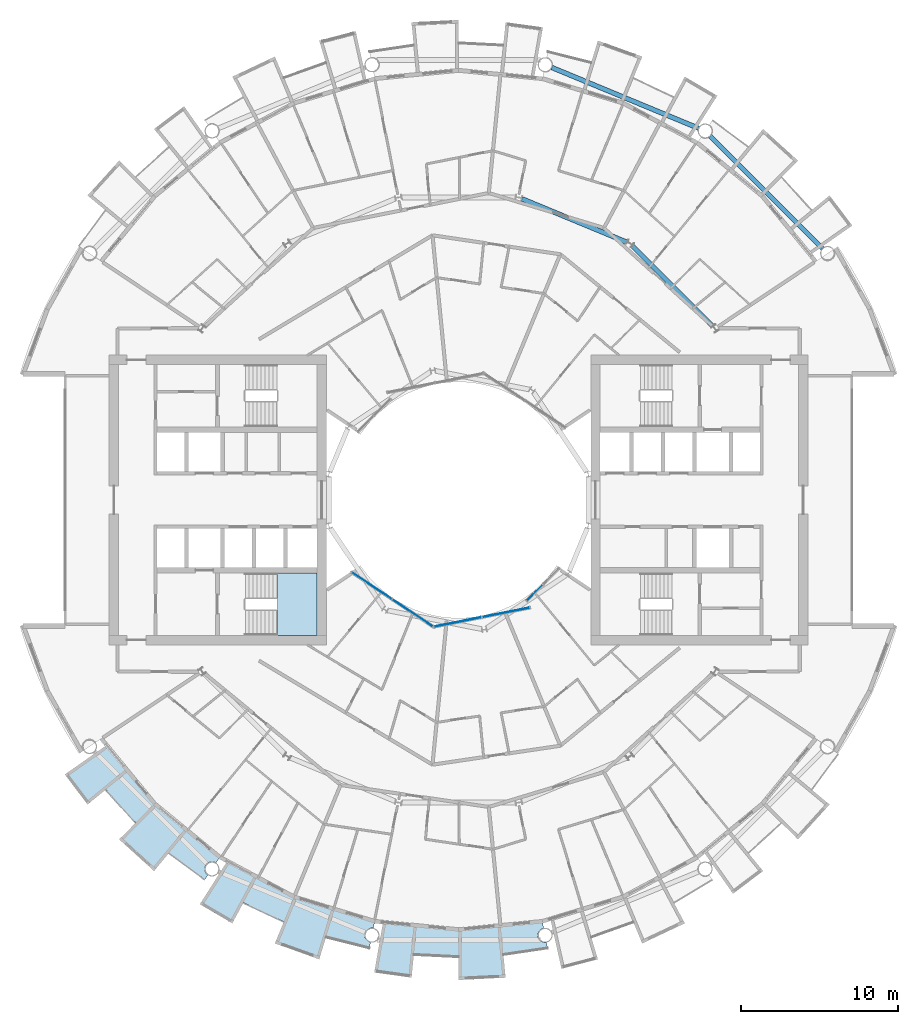
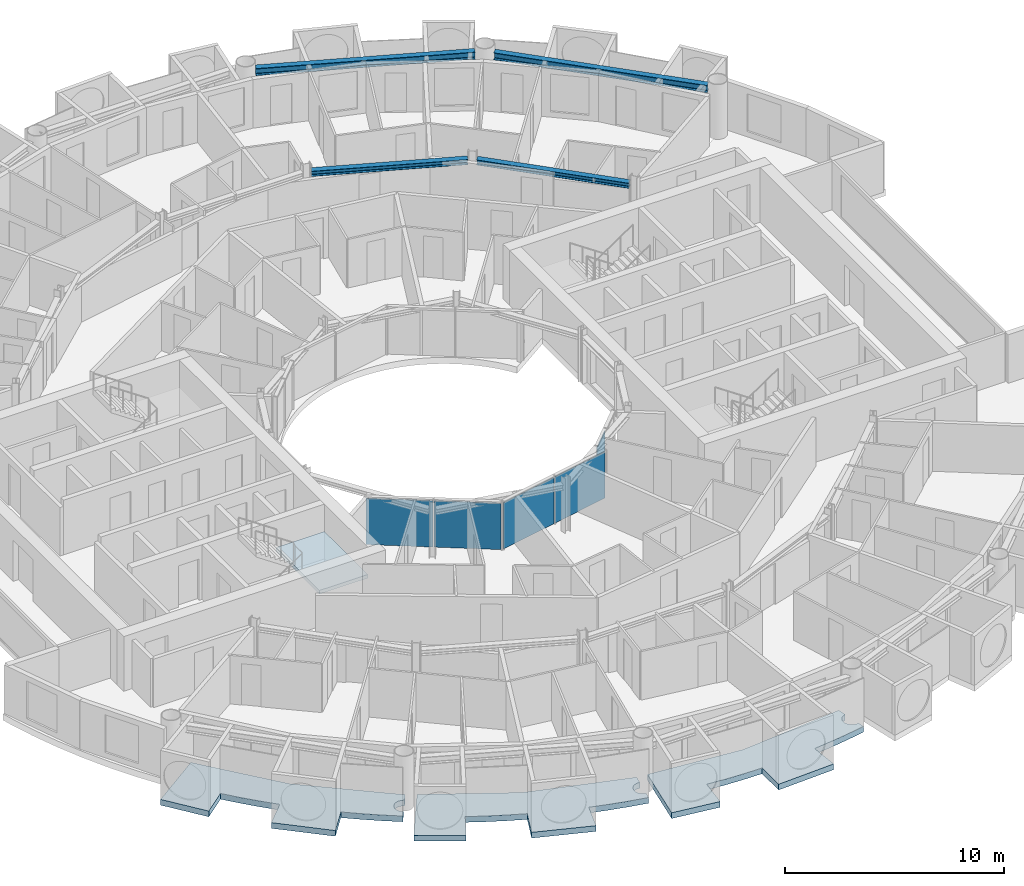
# One storey, part 10 of 28: 5 plates, 4 beams, 4 slabs, 4 elements without a shape of their own.
"""IFC4 building model written with IfcOpenShell, lengths in metres."""

from ifc_helpers import new_model, si_unit, direction, frame, origin, origin_2d, place, context, subcontext, project, spatial, polyline, rectangle, i_section, outline, extrude, material, layer, layer_set, material_profile, profile_set, type_object, element, aggregate, save


model = new_model("IFC4")

# Units and contexts
model_context = context("Model", 3, precision=1e-05, world=origin(), true_north=direction((0.0, 1.0)))
body_context = subcontext(model_context, "Body", "Model", "MODEL_VIEW")
ifc_project = project(units=[si_unit("LENGTHUNIT", "METRE"), si_unit("AREAUNIT", "SQUARE_METRE"), si_unit("VOLUMEUNIT", "CUBIC_METRE"), si_unit("PLANEANGLEUNIT", "RADIAN"), si_unit("MASSUNIT", "GRAM", prefix="KILO")], contexts=[model_context])

# Site, building, storey
site_placement = place(None, origin())
site = spatial("IfcSite", under=ifc_project, at=site_placement, CompositionType="ELEMENT")
building_placement = place(site_placement, origin())
building = spatial("IfcBuilding", under=site, at=building_placement, Name="Maasbend Ring Residences", CompositionType="ELEMENT")
storey_placement = place(building_placement, frame((0.0, 0.0, 129.949951171875)))
storey = spatial("IfcBuildingStorey", under=building, at=storey_placement, Name="L37", CompositionType="ELEMENT", Elevation=129.949951171875)

# Beams
ifc_material_1 = material(Name="Steel S355J2", Category="steel")
ifc_material_profile_1 = material_profile(ifc_material_1, i_section(OverallWidth=0.300048828125, OverallDepth=0.2900390625, WebThickness=0.008544921875, FlangeThickness=0.013916015625, FilletRadius=0.027099609375, at=origin_2d()), Name="HEA 300")
ifc_profile_set_1 = profile_set([ifc_material_profile_1], Name="Steel S355J2")
beam_type_1 = type_object("IfcBeamType", Name="Corridor ring beam HEA 300", PredefinedType="BEAM", material=ifc_profile_set_1)
for number, where, z_axis, x_axis, name in (
    (1, (16.14111328125, 11.044921875, 2.554931640625), (-0.707106781187, 0.707106781187, 0.0), (-0.707106781187, -0.707106781187, 0.0), "Corridor ring beam"),
    (2, (10.685791015625, 16.381103515625, 2.554931640625), (-0.923877693919, 0.382687871089, 0.0), (-0.382687871089, -0.923877693919, 0.0), "Corridor ring beam"),
):
    element("IfcBeam", number, at=place(storey_placement, frame(where, z_axis=z_axis, x_axis=x_axis)), inside=storey, type_object=beam_type_1, Name=name, PredefinedType="BEAM", context=body_context, shape_type="SweptSolid", body=[
        extrude(i_section(OverallWidth=0.300048828125, OverallDepth=0.2900390625, WebThickness=0.008544921875, FlangeThickness=0.013916015625, FilletRadius=0.027099609375, at=origin_2d()), origin(), (0.0, 0.0, 1.0), 7.20703125),
    ])
ifc_material_2 = material(Name="Steel S355J2", Category="steel")
ifc_material_profile_2 = material_profile(ifc_material_2, i_section(OverallWidth=0.300048828125, OverallDepth=0.39990234375, WebThickness=0.013427734375, FlangeThickness=0.02392578125, FilletRadius=0.027099609375, at=origin_2d()), Name="HEB 400")
ifc_profile_set_2 = profile_set([ifc_material_profile_2], Name="Steel S355J2")
beam_type_2 = type_object("IfcBeamType", Name="Spandrel ring beam HEB 400", PredefinedType="SPANDREL", material=ifc_profile_set_2)
for number, where, z_axis, x_axis, name in (
    (3, (23.124267578125, 15.990234375, 2.5), (-0.707106781187, 0.707106781187, 0.0), (-0.707106781187, -0.707106781187, 0.0), "Spandrel ring beam"),
    (4, (15.244873046875, 23.622314453125, 2.5), (-0.92388529709, 0.382669515144, 0.0), (-0.382669515144, -0.92388529709, 0.0), "Spandrel ring beam"),
):
    element("IfcBeam", number, at=place(storey_placement, frame(where, z_axis=z_axis, x_axis=x_axis)), inside=storey, type_object=beam_type_2, Name=name, PredefinedType="SPANDREL", context=body_context, shape_type="SweptSolid", body=[
        extrude(i_section(OverallWidth=0.300048828125, OverallDepth=0.39990234375, WebThickness=0.013427734375, FlangeThickness=0.02392578125, FilletRadius=0.027099609375, at=origin_2d()), origin(), (0.0, 0.0, 1.0), 10.089111328125),
    ])

# Stair, slab
ifc_material_3 = material(Name="Concrete C40/50", Category="concrete")
stair_type = type_object("IfcStairType", Name="CORE STAIR 18 RISERS", PredefinedType="HALF_TURN_STAIR", material=ifc_material_3)
stair_placement = place(storey_placement, origin())
stair = element("IfcStair", 5, at=stair_placement, inside=storey, type_object=stair_type, Name="L37 Exit stair ST-W1", PredefinedType="HALF_TURN_STAIR")
ifc_material_4 = material(Name="Concrete C40/50", Category="concrete")
ifc_layer_1 = layer(ifc_material_4, 0.199951171875)
ifc_layer_set_1 = layer_set([ifc_layer_1], Name="Concrete C40/50")
slab_type_1 = type_object("IfcSlabType", Name="CORE STAIR LANDING 200", PredefinedType="LANDING", material=ifc_layer_set_1)
slab_1_placement = place(storey_placement, frame((0.0, 0.0, 1.324951171875)))
slab_1 = element("IfcSlab", 6, at=slab_1_placement, type_object=slab_type_1, Name="ST-W1 landing 1", PredefinedType="LANDING", context=body_context, shape_type="SweptSolid", body=[
    extrude(outline(polyline([(-11.550048828125, -8.60009765625), (-9.0, -8.60009765625), (-9.0, -4.64990234375), (-11.550048828125, -4.64990234375), (-11.550048828125, -8.60009765625)])), origin(), (0.0, 0.0, 1.0), 0.2001953125),
])
aggregate(stair, [slab_1])

# Curtain wall, plates
ifc_material_5 = material(Name="Aluminium and clear glass", Category="aluminium")
ifc_layer_2 = layer(ifc_material_5, 0.179931640625)
ifc_layer_set_2 = layer_set([ifc_layer_2], Name="CW-W")
curtain_wall_type = type_object("IfcCurtainWallType", Name="CW-W", PredefinedType="NOTDEFINED", material=ifc_layer_set_2)
curtain_wall_1_placement = place(storey_placement, origin())
curtain_wall_1 = element("IfcCurtainWall", 7, at=curtain_wall_1_placement, inside=storey, type_object=curtain_wall_type, Name="Well curtain wall S1", PredefinedType="NOTDEFINED")
ifc_material_6 = material(Name="Glass clear laminated", Category="glass")
ifc_layer_3 = layer(ifc_material_6, 0.031982421875)
ifc_layer_set_3 = layer_set([ifc_layer_3], Name="CWP-W")
plate_type = type_object("IfcPlateType", Name="CWP-W", PredefinedType="CURTAIN_PANEL", material=ifc_layer_set_3)
plate_1_placement = place(storey_placement, frame((-5.51123046875, -5.44580078125, 0.0), z_axis=(0.0, 0.0, 1.0), x_axis=(0.831469612303, -0.55557023302, 0.0)))
plate_1 = element("IfcPlate", 8, at=plate_1_placement, type_object=plate_type, Name="Glass panel well face", PredefinedType="CURTAIN_PANEL", context=body_context, shape_type="SweptSolid", body=[
    extrude(rectangle(XDim=3.053955078125, YDim=0.031982421875, at=origin_2d()), origin(), (0.0, 0.0, 1.0), 2.580078125),
])
plate_2_placement = place(storey_placement, frame((-2.922119140625, -7.17578125, 0.0), z_axis=(0.0, 0.0, 1.0), x_axis=(0.831469612303, -0.55557023302, 0.0)))
plate_2 = element("IfcPlate", 9, at=plate_2_placement, type_object=plate_type, Name="Glass panel well face", PredefinedType="CURTAIN_PANEL", context=body_context, shape_type="SweptSolid", body=[
    extrude(rectangle(XDim=3.053955078125, YDim=0.031982421875, at=origin_2d()), origin(), (0.0, 0.0, 1.0), 2.580078125),
])
aggregate(curtain_wall_1, [plate_1, plate_2])

curtain_wall_2_placement = place(storey_placement, origin())
curtain_wall_2 = element("IfcCurtainWall", 10, at=curtain_wall_2_placement, inside=storey, type_object=curtain_wall_type, Name="Well curtain wall S2", PredefinedType="NOTDEFINED")
plate_3_placement = place(storey_placement, frame((-0.04638671875, -7.747802734375, 0.0), z_axis=(0.0, 0.0, 1.0), x_axis=(0.980785280403, 0.195090322016, 0.0)))
plate_3 = element("IfcPlate", 11, at=plate_3_placement, type_object=plate_type, Name="Glass panel well face", PredefinedType="CURTAIN_PANEL", context=body_context, shape_type="SweptSolid", body=[
    extrude(rectangle(XDim=3.053955078125, YDim=0.031982421875, at=origin_2d()), origin(), (0.0, 0.0, 1.0), 2.580078125),
])
plate_4_placement = place(storey_placement, frame((3.0078125, -7.140380859375, 0.0), z_axis=(0.0, 0.0, 1.0), x_axis=(0.980785280403, 0.195090322016, 0.0)))
plate_4 = element("IfcPlate", 12, at=plate_4_placement, type_object=plate_type, Name="Glass panel well face", PredefinedType="CURTAIN_PANEL", context=body_context, shape_type="SweptSolid", body=[
    extrude(rectangle(XDim=3.053955078125, YDim=0.031982421875, at=origin_2d()), origin(), (0.0, 0.0, 1.0), 2.580078125),
])
aggregate(curtain_wall_2, [plate_3, plate_4])

# Curtain wall, plate
curtain_wall_3_placement = place(storey_placement, origin())
curtain_wall_3 = element("IfcCurtainWall", 13, at=curtain_wall_3_placement, inside=storey, type_object=curtain_wall_type, Name="Well curtain wall S3", PredefinedType="NOTDEFINED")
plate_5_placement = place(storey_placement, frame((4.84375, -5.89013671875, 0.0), z_axis=(0.0, 0.0, 1.0), x_axis=(0.707106781187, 0.707106781187, 0.0)))
plate_5 = element("IfcPlate", 14, at=plate_5_placement, type_object=plate_type, Name="Glass panel well face", PredefinedType="CURTAIN_PANEL", context=body_context, shape_type="SweptSolid", body=[
    extrude(rectangle(XDim=1.419677734375, YDim=0.031982421875, at=origin_2d()), origin(), (0.0, 0.0, 1.0), 2.580078125),
])
aggregate(curtain_wall_3, [plate_5])

# Slabs
ifc_material_7 = material(Name="Concrete C40/50", Category="concrete")
ifc_layer_4 = layer(ifc_material_7, 0.199951171875)
ifc_layer_set_4 = layer_set([ifc_layer_4], Name="Concrete C40/50")
slab_type_2 = type_object("IfcSlabType", Name="SL-LOGGIA", PredefinedType="FLOOR", material=ifc_layer_set_4)
slab_2_placement = place(storey_placement, frame((0.0, 0.0, -0.349853515625)))
element("IfcSlab", 15, at=slab_2_placement, inside=storey, type_object=slab_type_2, Name="Loggia floor 2", PredefinedType="FLOOR", context=body_context, shape_type="SweptSolid", body=[
    extrude(outline(polyline([(-12.806884765625, -23.9609375), (-10.447021484375, -25.221923828125), (-10.447021484375, -25.221923828125), (-10.447021484375, -25.221923828125), (-7.886962890625, -25.9990234375), (-5.325927734375, -26.77490234375), (-5.325927734375, -26.77490234375), (-5.325927734375, -26.77490234375), (-5.412109375, -27.2099609375), (-5.423095703125, -27.2080078125), (-5.43408203125, -27.2060546875), (-5.446044921875, -27.205078125), (-5.45703125, -27.202880859375), (-5.468017578125, -27.201904296875), (-5.47900390625, -27.201904296875), (-5.489990234375, -27.200927734375), (-5.501953125, -27.200927734375), (-5.512939453125, -27.200927734375), (-5.52392578125, -27.201904296875), (-5.534912109375, -27.201904296875), (-5.5458984375, -27.202880859375), (-5.556884765625, -27.205078125), (-5.569091796875, -27.2060546875), (-5.580078125, -27.2080078125), (-5.591064453125, -27.2099609375), (-5.60205078125, -27.2119140625), (-5.613037109375, -27.215087890625), (-5.623046875, -27.218017578125), (-5.634033203125, -27.220947265625), (-5.64501953125, -27.22412109375), (-5.655029296875, -27.22802734375), (-5.666015625, -27.23193359375), (-5.676025390625, -27.236083984375), (-5.68701171875, -27.239990234375), (-5.697021484375, -27.2451171875), (-5.70703125, -27.25), (-5.717041015625, -27.2548828125), (-5.72705078125, -27.260009765625), (-5.736083984375, -27.26611328125), (-5.74609375, -27.27197265625), (-5.7548828125, -27.278076171875), (-5.764892578125, -27.283935546875), (-5.77392578125, -27.291015625), (-5.782958984375, -27.298095703125), (-5.791015625, -27.304931640625), (-5.800048828125, -27.31201171875), (-5.80810546875, -27.319091796875), (-5.81689453125, -27.326904296875), (-5.824951171875, -27.3349609375), (-5.83203125, -27.343017578125), (-5.840087890625, -27.35107421875), (-5.847900390625, -27.360107421875), (-5.85498046875, -27.367919921875), (-5.862060546875, -27.376953125), (-5.868896484375, -27.385986328125), (-5.875, -27.39501953125), (-5.881103515625, -27.404052734375), (-5.887939453125, -27.4140625), (-5.89306640625, -27.423095703125), (-5.89892578125, -27.43310546875), (-5.905029296875, -27.443115234375), (-5.909912109375, -27.452880859375), (-5.9150390625, -27.462890625), (-5.9189453125, -27.472900390625), (-5.924072265625, -27.48291015625), (-5.927978515625, -27.493896484375), (-5.931884765625, -27.50390625), (-5.93505859375, -27.514892578125), (-5.93896484375, -27.52490234375), (-5.94189453125, -27.535888671875), (-5.945068359375, -27.547119140625), (-5.947021484375, -27.55810546875), (-5.949951171875, -27.569091796875), (-5.951904296875, -27.580078125), (-5.9541015625, -27.591064453125), (-5.955078125, -27.60205078125), (-5.9560546875, -27.613037109375), (-5.95703125, -27.6240234375), (-5.9580078125, -27.635986328125), (-5.9580078125, -27.64697265625), (-5.9580078125, -27.657958984375), (-5.9580078125, -27.6689453125), (-5.9580078125, -27.680908203125), (-5.95703125, -27.69189453125), (-5.9560546875, -27.702880859375), (-5.955078125, -27.714111328125), (-5.9541015625, -27.72509765625), (-5.951904296875, -27.736083984375), (-5.949951171875, -27.7470703125), (-5.947021484375, -27.758056640625), (-5.945068359375, -27.76904296875), (-5.94189453125, -27.780029296875), (-5.93896484375, -27.791015625), (-5.93505859375, -27.801025390625), (-5.931884765625, -27.81201171875), (-5.927978515625, -27.822998046875), (-5.924072265625, -27.8330078125), (-5.9189453125, -27.843017578125), (-5.9150390625, -27.85302734375), (-5.909912109375, -27.864013671875), (-5.905029296875, -27.8740234375), (-5.89892578125, -27.883056640625), (-5.89306640625, -27.89306640625), (-5.887939453125, -27.903076171875), (-5.881103515625, -27.912109375), (-5.875, -27.9208984375), (-5.868896484375, -27.929931640625), (-5.862060546875, -27.93896484375), (-5.85498046875, -27.947998046875), (-5.847900390625, -27.95703125), (-5.840087890625, -27.965087890625), (-5.83203125, -27.972900390625), (-5.824951171875, -27.98095703125), (-5.81689453125, -27.989013671875), (-5.80810546875, -27.9970703125), (-5.800048828125, -28.00390625), (-5.791015625, -28.010986328125), (-5.782958984375, -28.01806640625), (-5.77392578125, -28.02490234375), (-5.764892578125, -28.031982421875), (-5.7548828125, -28.0380859375), (-5.74609375, -28.0439453125), (-5.736083984375, -28.050048828125), (-5.72705078125, -28.055908203125), (-5.717041015625, -28.06103515625), (-5.70703125, -28.06591796875), (-5.697021484375, -28.071044921875), (-5.68701171875, -28.075927734375), (-5.676025390625, -28.080078125), (-5.666015625, -28.083984375), (-5.655029296875, -28.087890625), (-5.64501953125, -28.092041015625), (-5.634033203125, -28.094970703125), (-5.623046875, -28.09912109375), (-5.613037109375, -28.10107421875), (-5.60205078125, -28.10400390625), (-5.591064453125, -28.10595703125), (-5.657958984375, -28.443115234375), (-5.657958984375, -28.443115234375), (-5.657958984375, -28.443115234375), (-6.5849609375, -28.241943359375), (-6.5849609375, -28.241943359375), (-7.506103515625, -28.011962890625), (-7.506103515625, -28.011962890625), (-8.41796875, -27.7509765625), (-8.41796875, -27.7509765625), (-8.41796875, -27.7509765625), (-8.41796875, -27.7509765625), (-8.41796875, -27.7509765625), (-8.41796875, -27.7509765625), (-8.41796875, -27.7509765625), (-8.41796875, -27.7509765625), (-8.41796875, -27.7509765625), (-8.41796875, -27.7509765625), (-8.41796875, -27.751953125), (-8.41796875, -27.751953125), (-8.41796875, -27.751953125), (-8.41796875, -27.751953125), (-8.41796875, -27.751953125), (-8.41796875, -27.751953125), (-8.41796875, -27.751953125), (-8.85400390625, -29.18701171875), (-8.85400390625, -29.18701171875), (-8.85400390625, -29.18701171875), (-11.672119140625, -28.177978515625), (-11.672119140625, -28.177978515625), (-11.672119140625, -28.177978515625), (-11.097900390625, -26.79296875), (-11.097900390625, -26.79296875), (-11.097900390625, -26.79296875), (-11.097900390625, -26.79296875), (-11.097900390625, -26.79296875), (-11.097900390625, -26.79296875), (-11.097900390625, -26.79296875), (-11.097900390625, -26.79296875), (-11.097900390625, -26.79296875), (-11.097900390625, -26.79296875), (-11.097900390625, -26.7919921875), (-11.097900390625, -26.7919921875), (-11.097900390625, -26.7919921875), (-11.097900390625, -26.7919921875), (-11.097900390625, -26.7919921875), (-11.097900390625, -26.7919921875), (-11.097900390625, -26.7919921875), (-11.968994140625, -26.4150390625), (-11.968994140625, -26.4150390625), (-12.825927734375, -26.009033203125), (-12.825927734375, -26.009033203125), (-13.669921875, -25.575927734375), (-13.669921875, -25.575927734375), (-13.669921875, -25.575927734375), (-13.669921875, -25.575927734375), (-13.669921875, -25.575927734375), (-13.669921875, -25.575927734375), (-13.669921875, -25.575927734375), (-13.669921875, -25.575927734375), (-13.669921875, -25.575927734375), (-13.669921875, -25.575927734375), (-13.6708984375, -25.575927734375), (-13.6708984375, -25.575927734375), (-13.6708984375, -25.575927734375), (-13.6708984375, -25.575927734375), (-13.6708984375, -25.575927734375), (-13.6708984375, -25.575927734375), (-13.6708984375, -25.575927734375), (-14.3779296875, -26.89892578125), (-14.3779296875, -26.89892578125), (-14.3779296875, -26.89892578125), (-16.44091796875, -25.68994140625), (-16.44091796875, -25.68994140625), (-16.44091796875, -25.68994140625), (-14.68994140625, -22.9541015625), (-14.68994140625, -22.9541015625), (-14.68994140625, -22.9541015625), (-12.806884765625, -23.9609375)])), origin(), (0.0, 0.0, 1.0), 0.31982421875),
])
slab_3_placement = place(storey_placement, frame((0.0, 0.0, -0.349853515625)))
element("IfcSlab", 16, at=slab_3_placement, inside=storey, type_object=slab_type_2, Name="Loggia floor 3", PredefinedType="FLOOR", context=body_context, shape_type="SweptSolid", body=[
    extrude(outline(polyline([(-2.6630859375, -27.0380859375), (0.0, -27.300048828125), (0.0, -27.300048828125), (0.0, -27.300048828125), (2.6630859375, -27.0380859375), (5.325927734375, -26.77490234375), (5.325927734375, -26.77490234375), (5.325927734375, -26.77490234375), (5.412109375, -27.2099609375), (5.412109375, -27.2099609375), (5.40087890625, -27.2119140625), (5.389892578125, -27.215087890625), (5.3798828125, -27.218017578125), (5.368896484375, -27.220947265625), (5.35791015625, -27.22412109375), (5.347900390625, -27.22802734375), (5.3369140625, -27.23193359375), (5.326904296875, -27.236083984375), (5.31591796875, -27.239990234375), (5.305908203125, -27.2451171875), (5.2958984375, -27.25), (5.285888671875, -27.2548828125), (5.27587890625, -27.260009765625), (5.26708984375, -27.26611328125), (5.257080078125, -27.27197265625), (5.248046875, -27.278076171875), (5.238037109375, -27.283935546875), (5.22900390625, -27.291015625), (5.219970703125, -27.298095703125), (5.2119140625, -27.304931640625), (5.202880859375, -27.31201171875), (5.195068359375, -27.319091796875), (5.18603515625, -27.326904296875), (5.177978515625, -27.3349609375), (5.1708984375, -27.343017578125), (5.1630859375, -27.35107421875), (5.155029296875, -27.360107421875), (5.14794921875, -27.367919921875), (5.14111328125, -27.376953125), (5.134033203125, -27.385986328125), (5.1279296875, -27.39501953125), (5.1220703125, -27.404052734375), (5.114990234375, -27.4140625), (5.110107421875, -27.423095703125), (5.10400390625, -27.43310546875), (5.097900390625, -27.443115234375), (5.093017578125, -27.452880859375), (5.087890625, -27.462890625), (5.083984375, -27.472900390625), (5.0791015625, -27.48291015625), (5.074951171875, -27.493896484375), (5.071044921875, -27.50390625), (5.068115234375, -27.514892578125), (5.06396484375, -27.52490234375), (5.06103515625, -27.535888671875), (5.05810546875, -27.547119140625), (5.055908203125, -27.55810546875), (5.052978515625, -27.569091796875), (5.051025390625, -27.580078125), (5.049072265625, -27.591064453125), (5.048095703125, -27.60205078125), (5.047119140625, -27.613037109375), (5.0458984375, -27.6240234375), (5.044921875, -27.635986328125), (5.044921875, -27.64697265625), (5.044921875, -27.657958984375), (5.044921875, -27.6689453125), (5.044921875, -27.680908203125), (5.0458984375, -27.69189453125), (5.047119140625, -27.702880859375), (5.048095703125, -27.714111328125), (5.049072265625, -27.72509765625), (5.051025390625, -27.736083984375), (5.052978515625, -27.7470703125), (5.055908203125, -27.758056640625), (5.05810546875, -27.76904296875), (5.06103515625, -27.780029296875), (5.06396484375, -27.791015625), (5.068115234375, -27.801025390625), (5.071044921875, -27.81201171875), (5.074951171875, -27.822998046875), (5.0791015625, -27.8330078125), (5.083984375, -27.843017578125), (5.087890625, -27.85302734375), (5.093017578125, -27.864013671875), (5.097900390625, -27.8740234375), (5.10400390625, -27.883056640625), (5.110107421875, -27.89306640625), (5.114990234375, -27.903076171875), (5.1220703125, -27.912109375), (5.1279296875, -27.9208984375), (5.134033203125, -27.929931640625), (5.14111328125, -27.93896484375), (5.14794921875, -27.947998046875), (5.155029296875, -27.95703125), (5.1630859375, -27.965087890625), (5.1708984375, -27.972900390625), (5.177978515625, -27.98095703125), (5.18603515625, -27.989013671875), (5.195068359375, -27.9970703125), (5.202880859375, -28.00390625), (5.2119140625, -28.010986328125), (5.219970703125, -28.01806640625), (5.22900390625, -28.02490234375), (5.238037109375, -28.031982421875), (5.248046875, -28.0380859375), (5.257080078125, -28.0439453125), (5.26708984375, -28.050048828125), (5.27587890625, -28.055908203125), (5.285888671875, -28.06103515625), (5.2958984375, -28.06591796875), (5.305908203125, -28.071044921875), (5.31591796875, -28.075927734375), (5.326904296875, -28.080078125), (5.3369140625, -28.083984375), (5.347900390625, -28.087890625), (5.35791015625, -28.092041015625), (5.368896484375, -28.094970703125), (5.3798828125, -28.09912109375), (5.389892578125, -28.10107421875), (5.40087890625, -28.10400390625), (5.412109375, -28.10595703125), (5.423095703125, -28.10791015625), (5.43408203125, -28.110107421875), (5.446044921875, -28.112060546875), (5.45703125, -28.113037109375), (5.468017578125, -28.114013671875), (5.47900390625, -28.114990234375), (5.489990234375, -28.114990234375), (5.501953125, -28.114990234375), (5.512939453125, -28.114990234375), (5.52392578125, -28.114990234375), (5.534912109375, -28.114013671875), (5.5458984375, -28.113037109375), (5.556884765625, -28.112060546875), (5.569091796875, -28.110107421875), (5.580078125, -28.10791015625), (5.591064453125, -28.10595703125), (5.591064453125, -28.10595703125), (5.657958984375, -28.443115234375), (5.657958984375, -28.443115234375), (5.657958984375, -28.443115234375), (4.72412109375, -28.613037109375), (4.72412109375, -28.613037109375), (3.784912109375, -28.751953125), (3.784912109375, -28.751953125), (2.843017578125, -28.860107421875), (2.843017578125, -28.860107421875), (2.843017578125, -28.860107421875), (2.843017578125, -28.860107421875), (2.843017578125, -28.860107421875), (2.843017578125, -28.860107421875), (2.843017578125, -28.860107421875), (2.843017578125, -28.860107421875), (2.843017578125, -28.860107421875), (2.843017578125, -28.861083984375), (2.843017578125, -28.861083984375), (2.843017578125, -28.861083984375), (2.843017578125, -28.861083984375), (2.843017578125, -28.861083984375), (2.843017578125, -28.861083984375), (2.843017578125, -28.861083984375), (2.843017578125, -28.861083984375), (2.989990234375, -30.35302734375), (2.989990234375, -30.35302734375), (2.989990234375, -30.35302734375), (0.0, -30.5), (0.0, -30.5), (0.0, -30.5), (0.0, -29.0), (0.0, -29.0), (0.0, -29.0), (0.0, -29.0), (0.0, -29.0), (0.0, -29.0), (0.0, -29.0), (0.0, -29.0), (0.0, -29.0), (0.0, -29.0), (0.0, -29.0), (0.0, -29.0), (0.0, -29.0), (0.0, -29.0), (0.0, -29.0), (0.0, -29.0), (0.0, -29.0), (-0.948974609375, -28.98388671875), (-0.948974609375, -28.98388671875), (-1.89697265625, -28.93798828125), (-1.89697265625, -28.93798828125), (-2.842041015625, -28.860107421875), (-2.842041015625, -28.860107421875), (-2.842041015625, -28.860107421875), (-2.842041015625, -28.860107421875), (-2.842041015625, -28.860107421875), (-2.842041015625, -28.860107421875), (-2.842041015625, -28.860107421875), (-2.842041015625, -28.860107421875), (-2.842041015625, -28.861083984375), (-2.842041015625, -28.861083984375), (-2.842041015625, -28.861083984375), (-2.842041015625, -28.861083984375), (-2.842041015625, -28.861083984375), (-2.843017578125, -28.861083984375), (-2.843017578125, -28.861083984375), (-2.843017578125, -28.861083984375), (-2.843017578125, -28.861083984375), (-2.989990234375, -30.35302734375), (-2.989990234375, -30.35302734375), (-2.989990234375, -30.35302734375), (-5.35791015625, -30.02587890625), (-5.35791015625, -30.02587890625), (-5.35791015625, -30.02587890625), (-4.7880859375, -26.827880859375), (-4.7880859375, -26.827880859375), (-4.7880859375, -26.827880859375), (-2.6630859375, -27.0380859375)])), origin(), (0.0, 0.0, 1.0), 0.31982421875),
])
slab_4_placement = place(storey_placement, frame((0.0, 0.0, -0.349853515625)))
element("IfcSlab", 17, at=slab_4_placement, inside=storey, type_object=slab_type_2, Name="Loggia floor 5", PredefinedType="FLOOR", context=body_context, shape_type="SweptSolid", body=[
    extrude(outline(polyline([(-21.001953125, -17.236083984375), (-19.303955078125, -19.303955078125), (-19.303955078125, -19.303955078125), (-19.303955078125, -19.303955078125), (-17.236083984375, -21.001953125), (-15.1669921875, -22.698974609375), (-15.1669921875, -22.698974609375), (-15.1669921875, -22.698974609375), (-15.4130859375, -23.06689453125), (-15.4130859375, -23.06689453125), (-15.423095703125, -23.06103515625), (-15.431884765625, -23.054931640625), (-15.44189453125, -23.050048828125), (-15.451904296875, -23.0439453125), (-15.4619140625, -23.0390625), (-15.471923828125, -23.033935546875), (-15.48193359375, -23.030029296875), (-15.491943359375, -23.02490234375), (-15.5029296875, -23.02099609375), (-15.512939453125, -23.01708984375), (-15.52392578125, -23.012939453125), (-15.533935546875, -23.010009765625), (-15.544921875, -23.007080078125), (-15.555908203125, -23.00390625), (-15.56689453125, -23.001953125), (-15.577880859375, -22.9990234375), (-15.589111328125, -22.9970703125), (-15.60009765625, -22.9951171875), (-15.611083984375, -22.993896484375), (-15.6220703125, -22.992919921875), (-15.633056640625, -22.991943359375), (-15.64501953125, -22.990966796875), (-15.656005859375, -22.990966796875), (-15.6669921875, -22.989990234375), (-15.677978515625, -22.990966796875), (-15.68994140625, -22.990966796875), (-15.700927734375, -22.991943359375), (-15.7119140625, -22.992919921875), (-15.722900390625, -22.993896484375), (-15.73388671875, -22.9951171875), (-15.7451171875, -22.9970703125), (-15.756103515625, -22.9990234375), (-15.76708984375, -23.001953125), (-15.778076171875, -23.00390625), (-15.7890625, -23.007080078125), (-15.800048828125, -23.010009765625), (-15.81005859375, -23.012939453125), (-15.821044921875, -23.01708984375), (-15.83203125, -23.02099609375), (-15.842041015625, -23.02490234375), (-15.85205078125, -23.030029296875), (-15.862060546875, -23.033935546875), (-15.873046875, -23.0390625), (-15.883056640625, -23.0439453125), (-15.89208984375, -23.050048828125), (-15.902099609375, -23.054931640625), (-15.912109375, -23.06103515625), (-15.9208984375, -23.06689453125), (-15.929931640625, -23.073974609375), (-15.93896484375, -23.080078125), (-15.947998046875, -23.0869140625), (-15.95703125, -23.093994140625), (-15.966064453125, -23.10107421875), (-15.97412109375, -23.10888671875), (-15.98193359375, -23.115966796875), (-15.989990234375, -23.1240234375), (-15.998046875, -23.132080078125), (-16.006103515625, -23.139892578125), (-16.012939453125, -23.14892578125), (-16.02001953125, -23.156982421875), (-16.027099609375, -23.166015625), (-16.033935546875, -23.175048828125), (-16.041015625, -23.18408203125), (-16.047119140625, -23.194091796875), (-16.052978515625, -23.202880859375), (-16.05908203125, -23.2119140625), (-16.06494140625, -23.221923828125), (-16.070068359375, -23.23193359375), (-16.074951171875, -23.241943359375), (-16.080078125, -23.251953125), (-16.0849609375, -23.261962890625), (-16.089111328125, -23.27294921875), (-16.093017578125, -23.282958984375), (-16.096923828125, -23.29296875), (-16.10107421875, -23.303955078125), (-16.10400390625, -23.31494140625), (-16.10791015625, -23.325927734375), (-16.110107421875, -23.3359375), (-16.113037109375, -23.346923828125), (-16.114990234375, -23.35791015625), (-16.116943359375, -23.368896484375), (-16.118896484375, -23.3798828125), (-16.12109375, -23.39111328125), (-16.1220703125, -23.403076171875), (-16.123046875, -23.4140625), (-16.1240234375, -23.425048828125), (-16.1240234375, -23.43603515625), (-16.1240234375, -23.447021484375), (-16.1240234375, -23.458984375), (-16.1240234375, -23.469970703125), (-16.123046875, -23.48095703125), (-16.1220703125, -23.491943359375), (-16.12109375, -23.5029296875), (-16.118896484375, -23.513916015625), (-16.116943359375, -23.52587890625), (-16.114990234375, -23.537109375), (-16.113037109375, -23.548095703125), (-16.110107421875, -23.55810546875), (-16.10791015625, -23.569091796875), (-16.10400390625, -23.580078125), (-16.10107421875, -23.591064453125), (-16.096923828125, -23.60107421875), (-16.093017578125, -23.612060546875), (-16.089111328125, -23.6220703125), (-16.0849609375, -23.633056640625), (-16.080078125, -23.64306640625), (-16.074951171875, -23.653076171875), (-16.070068359375, -23.6630859375), (-16.06494140625, -23.673095703125), (-16.05908203125, -23.681884765625), (-16.052978515625, -23.69189453125), (-16.047119140625, -23.700927734375), (-16.041015625, -23.7109375), (-16.033935546875, -23.719970703125), (-16.027099609375, -23.72900390625), (-16.02001953125, -23.737060546875), (-16.012939453125, -23.74609375), (-16.006103515625, -23.75390625), (-15.998046875, -23.762939453125), (-15.989990234375, -23.77099609375), (-15.98193359375, -23.778076171875), (-15.97412109375, -23.785888671875), (-15.966064453125, -23.79296875), (-15.95703125, -23.801025390625), (-15.947998046875, -23.80810546875), (-15.93896484375, -23.81396484375), (-15.929931640625, -23.821044921875), (-15.9208984375, -23.826904296875), (-15.9208984375, -23.826904296875), (-16.112060546875, -24.113037109375), (-16.112060546875, -24.113037109375), (-16.112060546875, -24.113037109375), (-16.89208984375, -23.572998046875), (-16.89208984375, -23.572998046875), (-17.654052734375, -23.007080078125), (-17.654052734375, -23.007080078125), (-18.39697265625, -22.41796875), (-18.39697265625, -22.41796875), (-18.39697265625, -22.41796875), (-18.39697265625, -22.41796875), (-18.39697265625, -22.41796875), (-18.39697265625, -22.41796875), (-18.39697265625, -22.41796875), (-18.39697265625, -22.41796875), (-18.39697265625, -22.41796875), (-18.39697265625, -22.41796875), (-18.39697265625, -22.41796875), (-18.39794921875, -22.41796875), (-18.39794921875, -22.41796875), (-18.39794921875, -22.41796875), (-18.39794921875, -22.41796875), (-18.39794921875, -22.41796875), (-18.39794921875, -22.41796875), (-19.34912109375, -23.576904296875), (-19.34912109375, -23.576904296875), (-19.34912109375, -23.576904296875), (-21.56689453125, -21.56689453125), (-21.56689453125, -21.56689453125), (-21.56689453125, -21.56689453125), (-20.506103515625, -20.506103515625), (-20.506103515625, -20.506103515625), (-20.506103515625, -20.506103515625), (-20.506103515625, -20.506103515625), (-20.506103515625, -20.506103515625), (-20.506103515625, -20.506103515625), (-20.506103515625, -20.506103515625), (-20.506103515625, -20.506103515625), (-20.506103515625, -20.506103515625), (-20.506103515625, -20.506103515625), (-20.506103515625, -20.506103515625), (-20.506103515625, -20.506103515625), (-20.506103515625, -20.506103515625), (-20.506103515625, -20.506103515625), (-20.506103515625, -20.506103515625), (-20.506103515625, -20.506103515625), (-20.506103515625, -20.506103515625), (-21.166015625, -19.823974609375), (-21.166015625, -19.823974609375), (-21.802978515625, -19.12109375), (-21.802978515625, -19.12109375), (-22.4169921875, -18.39794921875), (-22.4169921875, -18.39794921875), (-22.4169921875, -18.39794921875), (-22.4169921875, -18.39794921875), (-22.4169921875, -18.39794921875), (-22.4169921875, -18.39794921875), (-22.4169921875, -18.39794921875), (-22.4169921875, -18.39794921875), (-22.4169921875, -18.39794921875), (-22.4169921875, -18.39794921875), (-22.4169921875, -18.39794921875), (-22.4169921875, -18.39794921875), (-22.41796875, -18.39794921875), (-22.41796875, -18.39794921875), (-22.41796875, -18.39794921875), (-22.41796875, -18.39794921875), (-22.41796875, -18.39794921875), (-23.576904296875, -19.34912109375), (-23.576904296875, -19.34912109375), (-23.576904296875, -19.34912109375), (-25.02001953125, -17.44189453125), (-25.02001953125, -17.44189453125), (-25.02001953125, -17.44189453125), (-22.35595703125, -15.5849609375), (-22.35595703125, -15.5849609375), (-22.35595703125, -15.5849609375), (-21.001953125, -17.236083984375)])), origin(), (0.0, 0.0, 1.0), 0.31982421875),
])

save(model, "model.ifc")
